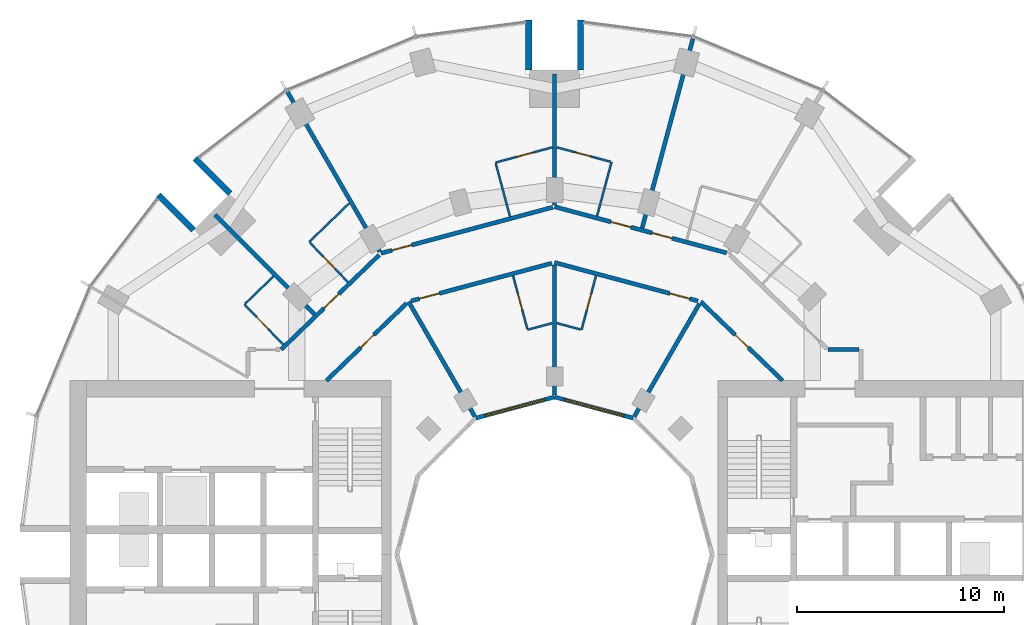
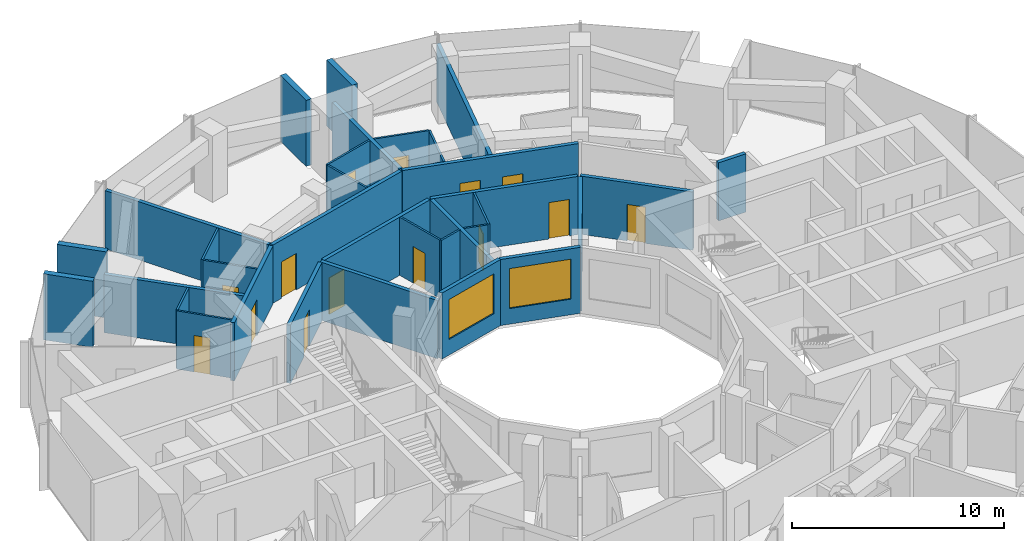
# One storey, part 12 of 15: 33 walls, 14 doors, 2 windows, 16 openings.
"""IFC4 building model written with IfcOpenShell, lengths in metres."""

from ifc_helpers import new_model, si_unit, direction, frame, frame_2d, origin, place, context, subcontext, project, spatial, rectangle, extrude, material, layer, layer_set, type_object, element, fill, save


model = new_model("IFC4")

# Units and contexts
model_context = context("Model", 3, precision=1e-05, world=origin(), true_north=direction((0.0, 1.0)))
body_context = subcontext(model_context, "Body", "Model", "MODEL_VIEW")
ifc_project = project(units=[si_unit("LENGTHUNIT", "METRE"), si_unit("AREAUNIT", "SQUARE_METRE"), si_unit("VOLUMEUNIT", "CUBIC_METRE"), si_unit("PLANEANGLEUNIT", "RADIAN"), si_unit("MASSUNIT", "GRAM", prefix="KILO")], contexts=[model_context])

# Site, building, storey
site_placement = place(None, origin())
site = spatial("IfcSite", under=ifc_project, at=site_placement, CompositionType="ELEMENT")
building_placement = place(site_placement, origin())
building = spatial("IfcBuilding", under=site, at=building_placement, Name="Torre Brocal", CompositionType="ELEMENT")
storey_placement = place(building_placement, frame((0.0, 0.0, 55.39990234375)))
storey = spatial("IfcBuildingStorey", under=building, at=storey_placement, Name="L12", CompositionType="ELEMENT", Elevation=55.39990234375)

# Walls
ifc_material_1 = material(Name="Concrete C80", Category="concrete")
ifc_layer_1 = layer(ifc_material_1, 0.300048828125)
ifc_layer_set_1 = layer_set([ifc_layer_1], Name="Concrete C80")
wall_type_1 = type_object("IfcWallType", Name="NOTCH RETURN WALL 300 C80", PredefinedType="NOTDEFINED", material=ifc_layer_set_1)
for number, where, z_axis, x_axis, name in (
    (1, (81.25, 98.39990234375, 0.0), (0.0, 0.0, 1.0), (0.0, 1.0, 0.0), "NOTCH RETURN WALL"),
    (2, (78.75, 98.39990234375, 0.0), (0.0, 0.0, 1.0), (0.0, 1.0, 0.0), "NOTCH RETURN WALL"),
    (3, (64.337646484375, 92.43017578125, 0.0), (0.0, 0.0, 1.0), (-0.707106781187, 0.707106781187, 0.0), "NOTCH RETURN WALL"),
    (4, (62.56982421875, 90.662353515625, 0.0), (0.0, 0.0, 1.0), (-0.707106781187, 0.707106781187, 0.0), "NOTCH RETURN WALL"),
):
    element("IfcWall", number, at=place(storey_placement, frame(where, z_axis=z_axis, x_axis=x_axis)), inside=storey, type_object=wall_type_1, Name=name, PredefinedType="NOTDEFINED", context=body_context, shape_type="SweptSolid", body=[
        extrude(rectangle(XDim=2.415771484375, YDim=0.300048828125, at=frame_2d((1.2080078125, 0.0))), origin(), (0.0, 0.0, 1.0), 3.800048828125),
    ])
ifc_material_2 = material(Name="Gypsum board", Category="Gypsum")
ifc_layer_2 = layer(ifc_material_2, 0.10009765625)
ifc_layer_set_2 = layer_set([ifc_layer_2], Name="Gypsum board")
wall_type_2 = type_object("IfcWallType", Name="PARTITION 100", PredefinedType="PARTITIONING", material=ifc_layer_set_2)
wall_1_placement = place(storey_placement, frame((65.058837890625, 87.11376953125, 0.0), z_axis=(0.0, 0.0, 1.0), x_axis=(0.719715847356, 0.694268751324, 0.0)))
element("IfcWall", 5, at=wall_1_placement, inside=storey, type_object=wall_type_2, Name="BATHROOM WALL", PredefinedType="PARTITIONING", context=body_context, shape_type="SweptSolid", body=[
    extrude(rectangle(XDim=1.899658203125, YDim=0.10009765625, at=frame_2d((0.94970703125, 0.0))), origin(), (0.0, 0.0, 1.0), 3.35009765625),
])

# Wall, opening, door
wall_2_placement = place(storey_placement, frame((65.02294921875, 87.0791015625, 0.0), z_axis=(0.0, 0.0, 1.0), x_axis=(0.694287838235, -0.719697434815, 0.0)))
wall_2 = element("IfcWall", 6, at=wall_2_placement, inside=storey, type_object=wall_type_2, Name="BATHROOM WALL", PredefinedType="PARTITIONING", context=body_context, shape_type="SweptSolid", body=[
    extrude(rectangle(XDim=2.699951171875, YDim=0.10009765625, at=frame_2d((1.35009765625, 0.0))), origin(), (0.0, 0.0, 1.0), 3.35009765625),
])
opening_1_placement = place(wall_2_placement, frame((0.849853515625, 0.0, 0.0)))
opening_1 = element("IfcOpeningElement", 7, at=opening_1_placement, cuts=wall_2, Name="Opening H03-D12", PredefinedType="OPENING", context=body_context, shape_type="SweptSolid", body=[
    extrude(rectangle(XDim=0.800048828125, YDim=2.10009765625, at=frame_2d((0.39990234375, 1.050048828125))), frame((0.0, 0.06005859375, 0.0), z_axis=(0.0, -1.0, 0.0), x_axis=(1.0, 0.0, 0.0)), (0.0, 0.0, 1.0), 0.1201171875),
])
ifc_material_3 = material(Name="Timber", Category="wood")
door_type_1 = type_object("IfcDoorType", Name="BATHROOM DOOR 800X2100", OperationType="SINGLE_SWING_LEFT", PredefinedType="DOOR", material=ifc_material_3)
door_1_placement = place(opening_1_placement, origin())
door_1 = element("IfcDoor", 8, at=door_1_placement, inside=storey, type_object=door_type_1, Name="H03-D12", OperationType="SINGLE_SWING_LEFT", OverallHeight=2.10009765625, OverallWidth=0.800048828125, PredefinedType="DOOR", context=body_context, shape_type="SweptSolid", body=[
    extrude(rectangle(XDim=0.800048828125, YDim=2.10009765625, at=frame_2d((0.39990234375, 1.050048828125))), frame((0.0, 0.02490234375, 0.0), z_axis=(0.0, -1.0, 0.0), x_axis=(1.0, 0.0, 0.0)), (0.0, 0.0, 1.0), 0.050048828125),
])
fill(opening_1, door_1)

wall_3_placement = place(storey_placement, frame((68.184814453125, 90.06005859375, 0.0), z_axis=(0.0, 0.0, 1.0), x_axis=(0.69446127412, -0.719530081892, 0.0)))
wall_3 = element("IfcWall", 9, at=wall_3_placement, inside=storey, type_object=wall_type_2, Name="BATHROOM WALL", PredefinedType="PARTITIONING", context=body_context, shape_type="SweptSolid", body=[
    extrude(rectangle(XDim=2.64892578125, YDim=0.10009765625, at=frame_2d((1.324462890625, 0.0))), origin(), (0.0, 0.0, 1.0), 3.35009765625),
])
opening_2_placement = place(wall_3_placement, frame((0.94970703125, 0.0, 0.0)))
opening_2 = element("IfcOpeningElement", 10, at=opening_2_placement, cuts=wall_3, Name="Opening H03-D10", PredefinedType="OPENING", context=body_context, shape_type="SweptSolid", body=[
    extrude(rectangle(XDim=0.800048828125, YDim=2.10009765625, at=frame_2d((0.39990234375, 1.050048828125))), frame((0.0, 0.06005859375, 0.0), z_axis=(0.0, -1.0, 0.0), x_axis=(1.0, 0.0, 0.0)), (0.0, 0.0, 1.0), 0.1201171875),
])
door_2_placement = place(opening_2_placement, origin())
door_2 = element("IfcDoor", 11, at=door_2_placement, inside=storey, type_object=door_type_1, Name="H03-D10", OperationType="SINGLE_SWING_RIGHT", OverallHeight=2.10009765625, OverallWidth=0.800048828125, PredefinedType="DOOR", context=body_context, shape_type="SweptSolid", body=[
    extrude(rectangle(XDim=0.800048828125, YDim=2.10009765625, at=frame_2d((0.39990234375, 1.050048828125))), frame((0.0, 0.02490234375, 0.0), z_axis=(0.0, -1.0, 0.0), x_axis=(1.0, 0.0, 0.0)), (0.0, 0.0, 1.0), 0.050048828125),
])
fill(opening_2, door_2)

# Walls
wall_4_placement = place(storey_placement, frame((68.150146484375, 90.095947265625, 0.0), z_axis=(0.0, 0.0, 1.0), x_axis=(0.719667544954, 0.694318820672, 0.0)))
element("IfcWall", 12, at=wall_4_placement, inside=storey, type_object=wall_type_2, Name="BATHROOM WALL", PredefinedType="PARTITIONING", context=body_context, shape_type="SweptSolid", body=[
    extrude(rectangle(XDim=2.68701171875, YDim=0.10009765625, at=frame_2d((1.343505859375, 0.0))), origin(), (0.0, 0.0, 1.0), 3.35009765625),
])
wall_5_placement = place(storey_placement, frame((77.161865234375, 93.8828125, 0.0), z_axis=(0.0, 0.0, 1.0), x_axis=(0.258998589493, -0.965877699629, 0.0)))
element("IfcWall", 13, at=wall_5_placement, inside=storey, type_object=wall_type_2, Name="BATHROOM WALL", PredefinedType="PARTITIONING", context=body_context, shape_type="SweptSolid", body=[
    extrude(rectangle(XDim=2.649658203125, YDim=0.10009765625, at=frame_2d((1.32470703125, 0.0))), origin(), (0.0, 0.0, 1.0), 3.35009765625),
])

# Wall, opening, door
wall_6_placement = place(storey_placement, frame((77.14892578125, 93.930908203125, 0.0), z_axis=(0.0, 0.0, 1.0), x_axis=(0.965916219953, 0.258854893776, 0.0)))
wall_6 = element("IfcWall", 14, at=wall_6_placement, inside=storey, type_object=wall_type_2, Name="BATHROOM WALL", PredefinedType="PARTITIONING", context=body_context, shape_type="SweptSolid", body=[
    extrude(rectangle(XDim=2.841796875, YDim=0.10009765625, at=frame_2d((1.4208984375, 0.0))), origin(), (0.0, 0.0, 1.0), 3.35009765625),
])
opening_3_placement = place(wall_6_placement, frame((1.07568359375, 0.0, 0.0)))
opening_3 = element("IfcOpeningElement", 15, at=opening_3_placement, cuts=wall_6, Name="Opening H03-D08", PredefinedType="OPENING", context=body_context, shape_type="SweptSolid", body=[
    extrude(rectangle(XDim=0.800048828125, YDim=2.10009765625, at=frame_2d((0.39990234375, 1.050048828125))), frame((0.0, 0.06005859375, 0.0), z_axis=(0.0, -1.0, 0.0), x_axis=(1.0, 0.0, 0.0)), (0.0, 0.0, 1.0), 0.1201171875),
])
door_3_placement = place(opening_3_placement, frame((0.800048828125, 0.0, 0.0), z_axis=(0.0, 0.0, 1.0), x_axis=(-1.0, 0.0, 0.0)))
door_3 = element("IfcDoor", 16, at=door_3_placement, inside=storey, type_object=door_type_1, Name="H03-D08", OperationType="SINGLE_SWING_LEFT", OverallHeight=2.10009765625, OverallWidth=0.800048828125, PredefinedType="DOOR", context=body_context, shape_type="SweptSolid", body=[
    extrude(rectangle(XDim=0.800048828125, YDim=2.10009765625, at=frame_2d((0.39990234375, 1.050048828125))), frame((0.0, 0.02490234375, 0.0), z_axis=(0.0, -1.0, 0.0), x_axis=(1.0, 0.0, 0.0)), (0.0, 0.0, 1.0), 0.050048828125),
])
fill(opening_3, door_3)

wall_7_placement = place(storey_placement, frame((77.997802734375, 88.46337890625, 0.0), z_axis=(0.0, 0.0, 1.0), x_axis=(0.258677737588, -0.965963678446, 0.0)))
wall_7 = element("IfcWall", 17, at=wall_7_placement, inside=storey, type_object=wall_type_2, Name="BATHROOM WALL", PredefinedType="PARTITIONING", context=body_context, shape_type="SweptSolid", body=[
    extrude(rectangle(XDim=2.649169921875, YDim=0.10009765625, at=frame_2d((1.32470703125, 0.0))), origin(), (0.0, 0.0, 1.0), 3.35009765625),
])
opening_4_placement = place(wall_7_placement, frame((0.899658203125, 0.0, 0.0)))
opening_4 = element("IfcOpeningElement", 18, at=opening_4_placement, cuts=wall_7, Name="Opening H03-D18", PredefinedType="OPENING", context=body_context, shape_type="SweptSolid", body=[
    extrude(rectangle(XDim=0.800048828125, YDim=2.10009765625, at=frame_2d((0.39990234375, 1.050048828125))), frame((0.0, 0.06005859375, 0.0), z_axis=(0.0, -1.0, 0.0), x_axis=(1.0, 0.0, 0.0)), (0.0, 0.0, 1.0), 0.1201171875),
])
door_4_placement = place(opening_4_placement, origin())
door_4 = element("IfcDoor", 19, at=door_4_placement, inside=storey, type_object=door_type_1, Name="H03-D18", OperationType="SINGLE_SWING_LEFT", OverallHeight=2.10009765625, OverallWidth=0.800048828125, PredefinedType="DOOR", context=body_context, shape_type="SweptSolid", body=[
    extrude(rectangle(XDim=0.800048828125, YDim=2.10009765625, at=frame_2d((0.39990234375, 1.050048828125))), frame((0.0, 0.02490234375, 0.0), z_axis=(0.0, -1.0, 0.0), x_axis=(1.0, 0.0, 0.0)), (0.0, 0.0, 1.0), 0.050048828125),
])
fill(opening_4, door_4)

# Walls
wall_8_placement = place(storey_placement, frame((78.696044921875, 85.85595703125, 0.0), z_axis=(0.0, 0.0, 1.0), x_axis=(0.966002513606, 0.258532674351, 0.0)))
element("IfcWall", 20, at=wall_8_placement, inside=storey, type_object=wall_type_2, Name="BATHROOM WALL", PredefinedType="PARTITIONING", context=body_context, shape_type="SweptSolid", body=[
    extrude(rectangle(XDim=1.239990234375, YDim=0.10009765625, at=frame_2d((0.6201171875, 0.0))), origin(), (0.0, 0.0, 1.0), 3.35009765625),
])
wall_9_placement = place(storey_placement, frame((80.106201171875, 86.176513671875, 0.0), z_axis=(0.0, 0.0, 1.0), x_axis=(0.966002973184, -0.258530957139, 0.0)))
element("IfcWall", 21, at=wall_9_placement, inside=storey, type_object=wall_type_2, Name="BATHROOM WALL", PredefinedType="PARTITIONING", context=body_context, shape_type="SweptSolid", body=[
    extrude(rectangle(XDim=1.18994140625, YDim=0.10009765625, at=frame_2d((0.594970703125, 0.0))), origin(), (0.0, 0.0, 1.0), 3.35009765625),
])

# Wall, opening, door
wall_10_placement = place(storey_placement, frame((80.106201171875, 94.666748046875, 0.0), z_axis=(0.0, 0.0, 1.0), x_axis=(0.965904298007, -0.258899376382, 0.0)))
wall_10 = element("IfcWall", 22, at=wall_10_placement, inside=storey, type_object=wall_type_2, Name="BATHROOM WALL", PredefinedType="PARTITIONING", context=body_context, shape_type="SweptSolid", body=[
    extrude(rectangle(XDim=2.6904296875, YDim=0.10009765625, at=frame_2d((1.34521484375, 0.0))), origin(), (0.0, 0.0, 1.0), 3.35009765625),
])
opening_5_placement = place(wall_10_placement, frame((0.9150390625, 0.0, 0.0)))
opening_5 = element("IfcOpeningElement", 23, at=opening_5_placement, cuts=wall_10, Name="Opening H03-D06", PredefinedType="OPENING", context=body_context, shape_type="SweptSolid", body=[
    extrude(rectangle(XDim=0.800048828125, YDim=2.10009765625, at=frame_2d((0.39990234375, 1.050048828125))), frame((0.0, 0.06005859375, 0.0), z_axis=(0.0, -1.0, 0.0), x_axis=(1.0, 0.0, 0.0)), (0.0, 0.0, 1.0), 0.1201171875),
])
door_5_placement = place(opening_5_placement, frame((0.800048828125, 0.0, 0.0), z_axis=(0.0, 0.0, 1.0), x_axis=(-1.0, 0.0, 0.0)))
door_5 = element("IfcDoor", 24, at=door_5_placement, inside=storey, type_object=door_type_1, Name="H03-D06", OperationType="SINGLE_SWING_RIGHT", OverallHeight=2.10009765625, OverallWidth=0.800048828125, PredefinedType="DOOR", context=body_context, shape_type="SweptSolid", body=[
    extrude(rectangle(XDim=0.800048828125, YDim=2.10009765625, at=frame_2d((0.39990234375, 1.050048828125))), frame((0.0, 0.02490234375, 0.0), z_axis=(0.0, -1.0, 0.0), x_axis=(1.0, 0.0, 0.0)), (0.0, 0.0, 1.0), 0.050048828125),
])
fill(opening_5, door_5)

wall_11_placement = place(storey_placement, frame((81.303955078125, 85.85595703125, 0.0), z_axis=(0.0, 0.0, 1.0), x_axis=(0.25867580527, 0.965964195904, 0.0)))
wall_11 = element("IfcWall", 25, at=wall_11_placement, inside=storey, type_object=wall_type_2, Name="BATHROOM WALL", PredefinedType="PARTITIONING", context=body_context, shape_type="SweptSolid", body=[
    extrude(rectangle(XDim=2.69921875, YDim=0.10009765625, at=frame_2d((1.349609375, 0.0))), origin(), (0.0, 0.0, 1.0), 3.35009765625),
])
opening_6_placement = place(wall_11_placement, frame((0.99951171875, 0.0, 0.0)))
opening_6 = element("IfcOpeningElement", 26, at=opening_6_placement, cuts=wall_11, Name="Opening H03-D16", PredefinedType="OPENING", context=body_context, shape_type="SweptSolid", body=[
    extrude(rectangle(XDim=0.800048828125, YDim=2.10009765625, at=frame_2d((0.39990234375, 1.050048828125))), frame((0.0, 0.06005859375, 0.0), z_axis=(0.0, -1.0, 0.0), x_axis=(1.0, 0.0, 0.0)), (0.0, 0.0, 1.0), 0.1201171875),
])
door_6_placement = place(opening_6_placement, origin())
door_6 = element("IfcDoor", 27, at=door_6_placement, inside=storey, type_object=door_type_1, Name="H03-D16", OperationType="SINGLE_SWING_RIGHT", OverallHeight=2.10009765625, OverallWidth=0.800048828125, PredefinedType="DOOR", context=body_context, shape_type="SweptSolid", body=[
    extrude(rectangle(XDim=0.800048828125, YDim=2.10009765625, at=frame_2d((0.39990234375, 1.050048828125))), frame((0.0, 0.02490234375, 0.0), z_axis=(0.0, -1.0, 0.0), x_axis=(1.0, 0.0, 0.0)), (0.0, 0.0, 1.0), 0.050048828125),
])
fill(opening_6, door_6)

# Walls
wall_12_placement = place(storey_placement, frame((82.053955078125, 91.349609375, 0.0), z_axis=(0.0, 0.0, 1.0), x_axis=(0.258928960762, 0.965896367774, 0.0)))
element("IfcWall", 28, at=wall_12_placement, inside=storey, type_object=wall_type_2, Name="BATHROOM WALL", PredefinedType="PARTITIONING", context=body_context, shape_type="SweptSolid", body=[
    extrude(rectangle(XDim=2.699462890625, YDim=0.10009765625, at=frame_2d((1.349609375, 0.0))), origin(), (0.0, 0.0, 1.0), 3.35009765625),
])
ifc_material_4 = material(Name="Gypsum board", Category="Gypsum")
ifc_layer_3 = layer(ifc_material_4, 0.199951171875)
ifc_layer_set_3 = layer_set([ifc_layer_3], Name="Gypsum board")
wall_type_3 = type_object("IfcWallType", Name="PARTITION 200 EI60", PredefinedType="PARTITIONING", material=ifc_layer_set_3)
wall_13_placement = place(storey_placement, frame((63.598388671875, 91.408203125, 0.0), z_axis=(0.0, 0.0, 1.0), x_axis=(0.706999146394, -0.707214399597, 0.0)))
element("IfcWall", 29, at=wall_13_placement, inside=storey, type_object=wall_type_3, Name="BATHROOM WALL", PredefinedType="PARTITIONING", context=body_context, shape_type="SweptSolid", body=[
    extrude(rectangle(XDim=6.80517578125, YDim=0.199951171875, at=frame_2d((3.402587890625, 0.0))), origin(), (0.0, 0.0, 1.0), 3.35009765625),
])

# Wall, opening, door
wall_14_placement = place(storey_placement, frame((66.796630859375, 84.900390625, 0.0), z_axis=(0.0, 0.0, 1.0), x_axis=(0.719692092412, 0.694293376116, 0.0)))
wall_14 = element("IfcWall", 30, at=wall_14_placement, inside=storey, type_object=wall_type_3, Name="GUESTROOM CORRIDOR WALL", PredefinedType="PARTITIONING", context=body_context, shape_type="SweptSolid", body=[
    extrude(rectangle(XDim=6.58447265625, YDim=0.199951171875, at=frame_2d((3.292236328125, 0.0))), origin(), (0.0, 0.0, 1.0), 3.35009765625),
])
opening_7_placement = place(wall_14_placement, frame((2.8662109375, 0.0, 0.0)))
opening_7 = element("IfcOpeningElement", 31, at=opening_7_placement, cuts=wall_14, Name="Opening H03-D09", PredefinedType="OPENING", context=body_context, shape_type="SweptSolid", body=[
    extrude(rectangle(XDim=1.0, YDim=2.10009765625, at=frame_2d((0.5, 1.050048828125))), frame((0.0, 0.10986328125, 0.0), z_axis=(0.0, -1.0, 0.0), x_axis=(1.0, 0.0, 0.0)), (0.0, 0.0, 1.0), 0.219970703125),
])
ifc_material_5 = material(Name="Timber", Category="wood")
door_type_2 = type_object("IfcDoorType", Name="FLAT ENTRY DOOR FD30S 1000X2100", OperationType="SINGLE_SWING_RIGHT", PredefinedType="DOOR", material=ifc_material_5)
door_7_placement = place(opening_7_placement, origin())
door_7 = element("IfcDoor", 32, at=door_7_placement, inside=storey, type_object=door_type_2, Name="H03-D09", OperationType="SINGLE_SWING_LEFT", OverallHeight=2.10009765625, OverallWidth=1.0, PredefinedType="DOOR", context=body_context, shape_type="SweptSolid", body=[
    extrude(rectangle(XDim=1.0, YDim=2.10009765625, at=frame_2d((0.5, 1.050048828125))), frame((0.0, 0.02490234375, 0.0), z_axis=(0.0, -1.0, 0.0), x_axis=(1.0, 0.0, 0.0)), (0.0, 0.0, 1.0), 0.050048828125),
])
fill(opening_7, door_7)

# Wall
wall_15_placement = place(storey_placement, frame((67.102783203125, 97.34228515625, 0.0), z_axis=(0.0, 0.0, 1.0), x_axis=(0.499906738326, -0.866079241742, 0.0)))
element("IfcWall", 33, at=wall_15_placement, inside=storey, type_object=wall_type_3, Name="BATHROOM WALL", PredefinedType="PARTITIONING", context=body_context, shape_type="SweptSolid", body=[
    extrude(rectangle(XDim=8.906982421875, YDim=0.199951171875, at=frame_2d((4.45361328125, 0.0))), origin(), (0.0, 0.0, 1.0), 3.35009765625),
])

# Wall, opening, door
wall_16_placement = place(storey_placement, frame((68.987060546875, 83.39990234375, 0.0), z_axis=(0.0, 0.0, 1.0), x_axis=(0.719547721855, 0.694442996922, 0.0)))
wall_16 = element("IfcWall", 34, at=wall_16_placement, inside=storey, type_object=wall_type_3, Name="CORRIDOR WALL", PredefinedType="PARTITIONING", context=body_context, shape_type="SweptSolid", body=[
    extrude(rectangle(XDim=5.3779296875, YDim=0.199951171875, at=frame_2d((2.68896484375, 0.0))), origin(), (0.0, 0.0, 1.0), 3.35009765625),
])
opening_8_placement = place(wall_16_placement, frame((2.2939453125, 0.0, 0.0)))
opening_8 = element("IfcOpeningElement", 35, at=opening_8_placement, cuts=wall_16, Name="Opening H03-D19", PredefinedType="OPENING", context=body_context, shape_type="SweptSolid", body=[
    extrude(rectangle(XDim=0.89990234375, YDim=2.10009765625, at=frame_2d((0.449951171875, 1.050048828125))), frame((0.0, 0.10986328125, 0.0), z_axis=(0.0, -1.0, 0.0), x_axis=(1.0, 0.0, 0.0)), (0.0, 0.0, 1.0), 0.219970703125),
])
ifc_material_6 = material(Name="Timber", Category="wood")
door_type_3 = type_object("IfcDoorType", Name="ROOM DOOR 900X2100", OperationType="SINGLE_SWING_LEFT", PredefinedType="DOOR", material=ifc_material_6)
door_8_placement = place(opening_8_placement, frame((0.89990234375, 0.0, 0.0), z_axis=(0.0, 0.0, 1.0), x_axis=(-1.0, 0.0, 0.0)))
door_8 = element("IfcDoor", 36, at=door_8_placement, inside=storey, type_object=door_type_3, Name="H03-D19", OperationType="SINGLE_SWING_RIGHT", OverallHeight=2.10009765625, OverallWidth=0.89990234375, PredefinedType="DOOR", context=body_context, shape_type="SweptSolid", body=[
    extrude(rectangle(XDim=0.89990234375, YDim=2.10009765625, at=frame_2d((0.449951171875, 1.050048828125))), frame((0.0, 0.02490234375, 0.0), z_axis=(0.0, -1.0, 0.0), x_axis=(1.0, 0.0, 0.0)), (0.0, 0.0, 1.0), 0.050048828125),
])
fill(opening_8, door_8)

wall_17_placement = place(storey_placement, frame((71.61376953125, 89.549560546875, 0.0), z_axis=(0.0, 0.0, 1.0), x_axis=(0.965967958589, 0.258661753994, 0.0)))
wall_17 = element("IfcWall", 37, at=wall_17_placement, inside=storey, type_object=wall_type_3, Name="GUESTROOM CORRIDOR WALL", PredefinedType="PARTITIONING", context=body_context, shape_type="SweptSolid", body=[
    extrude(rectangle(XDim=8.592041015625, YDim=0.199951171875, at=frame_2d((4.2958984375, 0.0))), origin(), (0.0, 0.0, 1.0), 3.35009765625),
])
opening_9_placement = place(wall_17_placement, frame((0.550048828125, 0.0, 0.0)))
opening_9 = element("IfcOpeningElement", 38, at=opening_9_placement, cuts=wall_17, Name="Opening H03-D07", PredefinedType="OPENING", context=body_context, shape_type="SweptSolid", body=[
    extrude(rectangle(XDim=1.0, YDim=2.10009765625, at=frame_2d((0.5, 1.050048828125))), frame((0.0, 0.10986328125, 0.0), z_axis=(0.0, -1.0, 0.0), x_axis=(1.0, 0.0, 0.0)), (0.0, 0.0, 1.0), 0.219970703125),
])
door_9_placement = place(opening_9_placement, origin())
door_9 = element("IfcDoor", 39, at=door_9_placement, inside=storey, type_object=door_type_2, Name="H03-D07", OperationType="SINGLE_SWING_LEFT", OverallHeight=2.10009765625, OverallWidth=1.0, PredefinedType="DOOR", context=body_context, shape_type="SweptSolid", body=[
    extrude(rectangle(XDim=1.0, YDim=2.10009765625, at=frame_2d((0.5, 1.050048828125))), frame((0.0, 0.02490234375, 0.0), z_axis=(0.0, -1.0, 0.0), x_axis=(1.0, 0.0, 0.0)), (0.0, 0.0, 1.0), 0.050048828125),
])
fill(opening_9, door_9)

wall_18_placement = place(storey_placement, frame((73.0712890625, 87.2470703125, 0.0), z_axis=(0.0, 0.0, 1.0), x_axis=(0.965931651205, 0.258797305243, 0.0)))
wall_18 = element("IfcWall", 40, at=wall_18_placement, inside=storey, type_object=wall_type_3, Name="GUESTROOM CORRIDOR WALL", PredefinedType="PARTITIONING", context=body_context, shape_type="SweptSolid", body=[
    extrude(rectangle(XDim=7.043212890625, YDim=0.199951171875, at=frame_2d((3.521484375, 0.0))), origin(), (0.0, 0.0, 1.0), 3.35009765625),
])
opening_10_placement = place(wall_18_placement, frame((0.409912109375, 0.0, 0.0)))
opening_10 = element("IfcOpeningElement", 41, at=opening_10_placement, cuts=wall_18, Name="Opening H03-D17", PredefinedType="OPENING", context=body_context, shape_type="SweptSolid", body=[
    extrude(rectangle(XDim=1.0, YDim=2.10009765625, at=frame_2d((0.5, 1.050048828125))), frame((0.0, 0.10986328125, 0.0), z_axis=(0.0, -1.0, 0.0), x_axis=(1.0, 0.0, 0.0)), (0.0, 0.0, 1.0), 0.219970703125),
])
door_10_placement = place(opening_10_placement, frame((1.0, 0.0, 0.0), z_axis=(0.0, 0.0, 1.0), x_axis=(-1.0, 0.0, 0.0)))
door_10 = element("IfcDoor", 42, at=door_10_placement, inside=storey, type_object=door_type_2, Name="H03-D17", OperationType="SINGLE_SWING_RIGHT", OverallHeight=2.10009765625, OverallWidth=1.0, PredefinedType="DOOR", context=body_context, shape_type="SweptSolid", body=[
    extrude(rectangle(XDim=1.0, YDim=2.10009765625, at=frame_2d((0.5, 1.050048828125))), frame((0.0, 0.02490234375, 0.0), z_axis=(0.0, -1.0, 0.0), x_axis=(1.0, 0.0, 0.0)), (0.0, 0.0, 1.0), 0.050048828125),
])
fill(opening_10, door_10)

# Walls
wall_19_placement = place(storey_placement, frame((72.94873046875, 87.21435546875, 0.0), z_axis=(0.0, 0.0, 1.0), x_axis=(0.499927021214, -0.866067534006, 0.0)))
element("IfcWall", 43, at=wall_19_placement, inside=storey, type_object=wall_type_3, Name="SERVICE ROOM WALL", PredefinedType="PARTITIONING", context=body_context, shape_type="SweptSolid", body=[
    extrude(rectangle(XDim=6.4052734375, YDim=0.199951171875, at=frame_2d((3.20263671875, 0.0))), origin(), (0.0, 0.0, 1.0), 3.35009765625),
])
wall_20_placement = place(storey_placement, frame((80.0, 82.698974609375, 0.0), z_axis=(0.0, 0.0, 1.0), x_axis=(0.0, 1.0, 0.0)))
element("IfcWall", 44, at=wall_20_placement, inside=storey, type_object=wall_type_3, Name="BATHROOM WALL", PredefinedType="PARTITIONING", context=body_context, shape_type="SweptSolid", body=[
    extrude(rectangle(XDim=6.275146484375, YDim=0.199951171875, at=frame_2d((3.1376953125, 0.0))), origin(), (0.0, 0.0, 1.0), 3.35009765625),
])

# Wall, opening, door
wall_21_placement = place(storey_placement, frame((80.0, 89.10400390625, 0.0), z_axis=(0.0, 0.0, 1.0), x_axis=(0.965856548257, -0.259077455964, 0.0)))
wall_21 = element("IfcWall", 45, at=wall_21_placement, inside=storey, type_object=wall_type_3, Name="GUESTROOM CORRIDOR WALL", PredefinedType="PARTITIONING", context=body_context, shape_type="SweptSolid", body=[
    extrude(rectangle(XDim=7.173095703125, YDim=0.199951171875, at=frame_2d((3.58642578125, 0.0))), origin(), (0.0, 0.0, 1.0), 3.35009765625),
])
opening_11_placement = place(wall_21_placement, frame((5.76318359375, 0.0, 0.0)))
opening_11 = element("IfcOpeningElement", 46, at=opening_11_placement, cuts=wall_21, Name="Opening H03-D15", PredefinedType="OPENING", context=body_context, shape_type="SweptSolid", body=[
    extrude(rectangle(XDim=1.0, YDim=2.10009765625, at=frame_2d((0.5, 1.050048828125))), frame((0.0, 0.10986328125, 0.0), z_axis=(0.0, -1.0, 0.0), x_axis=(1.0, 0.0, 0.0)), (0.0, 0.0, 1.0), 0.219970703125),
])
door_11_placement = place(opening_11_placement, frame((1.0, 0.0, 0.0), z_axis=(0.0, 0.0, 1.0), x_axis=(-1.0, 0.0, 0.0)))
door_11 = element("IfcDoor", 47, at=door_11_placement, inside=storey, type_object=door_type_2, Name="H03-D15", OperationType="SINGLE_SWING_LEFT", OverallHeight=2.10009765625, OverallWidth=1.0, PredefinedType="DOOR", context=body_context, shape_type="SweptSolid", body=[
    extrude(rectangle(XDim=1.0, YDim=2.10009765625, at=frame_2d((0.5, 1.050048828125))), frame((0.0, 0.02490234375, 0.0), z_axis=(0.0, -1.0, 0.0), x_axis=(1.0, 0.0, 0.0)), (0.0, 0.0, 1.0), 0.050048828125),
])
fill(opening_11, door_11)

# Wall
wall_22_placement = place(storey_placement, frame((80.0, 91.886962890625, 0.0), z_axis=(0.0, 0.0, 1.0), x_axis=(0.0, 1.0, 0.0)))
element("IfcWall", 48, at=wall_22_placement, inside=storey, type_object=wall_type_3, Name="BATHROOM WALL", PredefinedType="PARTITIONING", context=body_context, shape_type="SweptSolid", body=[
    extrude(rectangle(XDim=6.31201171875, YDim=0.199951171875, at=frame_2d((3.156005859375, 0.0))), origin(), (0.0, 0.0, 1.0), 3.35009765625),
])

# Wall, openings, doors
wall_23_placement = place(storey_placement, frame((80.000244140625, 91.796875, 0.0), z_axis=(0.0, 0.0, 1.0), x_axis=(0.965857042792, -0.259075612301, 0.0)))
wall_23 = element("IfcWall", 49, at=wall_23_placement, inside=storey, type_object=wall_type_3, Name="GUESTROOM CORRIDOR WALL", PredefinedType="PARTITIONING", context=body_context, shape_type="SweptSolid", body=[
    extrude(rectangle(XDim=8.601806640625, YDim=0.199951171875, at=frame_2d((4.30078125, 0.0))), origin(), (0.0, 0.0, 1.0), 3.35009765625),
])
opening_12_placement = place(wall_23_placement, frame((4.87744140625, 0.0, 0.0)))
opening_12 = element("IfcOpeningElement", 50, at=opening_12_placement, cuts=wall_23, Name="Opening H03-D03", PredefinedType="OPENING", context=body_context, shape_type="SweptSolid", body=[
    extrude(rectangle(XDim=1.0, YDim=2.10009765625, at=frame_2d((0.5, 1.050048828125))), frame((0.0, 0.10986328125, 0.0), z_axis=(0.0, -1.0, 0.0), x_axis=(1.0, 0.0, 0.0)), (0.0, 0.0, 1.0), 0.219970703125),
])
opening_13_placement = place(wall_23_placement, frame((2.816650390625, 0.0, 0.0)))
opening_13 = element("IfcOpeningElement", 51, at=opening_13_placement, cuts=wall_23, Name="Opening H03-D05", PredefinedType="OPENING", context=body_context, shape_type="SweptSolid", body=[
    extrude(rectangle(XDim=1.0, YDim=2.10009765625, at=frame_2d((0.5, 1.050048828125))), frame((0.0, 0.10986328125, 0.0), z_axis=(0.0, -1.0, 0.0), x_axis=(1.0, 0.0, 0.0)), (0.0, 0.0, 1.0), 0.219970703125),
])
door_12_placement = place(opening_12_placement, origin())
door_12 = element("IfcDoor", 52, at=door_12_placement, inside=storey, type_object=door_type_2, Name="H03-D03", OperationType="SINGLE_SWING_LEFT", OverallHeight=2.10009765625, OverallWidth=1.0, PredefinedType="DOOR", context=body_context, shape_type="SweptSolid", body=[
    extrude(rectangle(XDim=1.0, YDim=2.10009765625, at=frame_2d((0.5, 1.050048828125))), frame((0.0, 0.02490234375, 0.0), z_axis=(0.0, -1.0, 0.0), x_axis=(1.0, 0.0, 0.0)), (0.0, 0.0, 1.0), 0.050048828125),
])
fill(opening_12, door_12)
door_13_placement = place(opening_13_placement, origin())
door_13 = element("IfcDoor", 53, at=door_13_placement, inside=storey, type_object=door_type_2, Name="H03-D05", OperationType="SINGLE_SWING_RIGHT", OverallHeight=2.10009765625, OverallWidth=1.0, PredefinedType="DOOR", context=body_context, shape_type="SweptSolid", body=[
    extrude(rectangle(XDim=1.0, YDim=2.10009765625, at=frame_2d((0.5, 1.050048828125))), frame((0.0, 0.02490234375, 0.0), z_axis=(0.0, -1.0, 0.0), x_axis=(1.0, 0.0, 0.0)), (0.0, 0.0, 1.0), 0.050048828125),
])
fill(opening_13, door_13)

# Walls
wall_24_placement = place(storey_placement, frame((83.851318359375, 81.665771484375, 0.0), z_axis=(0.0, 0.0, 1.0), x_axis=(0.500253653624, 0.865878907259, 0.0)))
element("IfcWall", 54, at=wall_24_placement, inside=storey, type_object=wall_type_3, Name="SERVICE ROOM WALL", PredefinedType="PARTITIONING", context=body_context, shape_type="SweptSolid", body=[
    extrude(rectangle(XDim=6.285400390625, YDim=0.199951171875, at=frame_2d((3.142578125, 0.0))), origin(), (0.0, 0.0, 1.0), 3.35009765625),
])
wall_25_placement = place(storey_placement, frame((84.23046875, 90.76611328125, 0.0), z_axis=(0.0, 0.0, 1.0), x_axis=(0.258967920341, 0.965885922992, 0.0)))
element("IfcWall", 55, at=wall_25_placement, inside=storey, type_object=wall_type_3, Name="PARTY PARTITION", PredefinedType="PARTITIONING", context=body_context, shape_type="SweptSolid", body=[
    extrude(rectangle(XDim=9.474609375, YDim=0.199951171875, at=frame_2d((4.7373046875, 0.0))), origin(), (0.0, 0.0, 1.0), 3.35009765625),
])

# Wall, opening, door
wall_26_placement = place(storey_placement, frame((87.06396484375, 87.2109375, 0.0), z_axis=(0.0, 0.0, 1.0), x_axis=(0.719562412484, -0.694427774891, 0.0)))
wall_26 = element("IfcWall", 56, at=wall_26_placement, inside=storey, type_object=wall_type_3, Name="CORRIDOR WALL", PredefinedType="PARTITIONING", context=body_context, shape_type="SweptSolid", body=[
    extrude(rectangle(XDim=5.488037109375, YDim=0.199951171875, at=frame_2d((2.744140625, 0.0))), origin(), (0.0, 0.0, 1.0), 3.35009765625),
])
opening_14_placement = place(wall_26_placement, frame((2.2939453125, 0.0, 0.0)))
opening_14 = element("IfcOpeningElement", 57, at=opening_14_placement, cuts=wall_26, Name="Opening H03-D14", PredefinedType="OPENING", context=body_context, shape_type="SweptSolid", body=[
    extrude(rectangle(XDim=0.89990234375, YDim=2.10009765625, at=frame_2d((0.449951171875, 1.050048828125))), frame((0.0, 0.10986328125, 0.0), z_axis=(0.0, -1.0, 0.0), x_axis=(1.0, 0.0, 0.0)), (0.0, 0.0, 1.0), 0.219970703125),
])
door_14_placement = place(opening_14_placement, frame((0.89990234375, 0.0, 0.0), z_axis=(0.0, 0.0, 1.0), x_axis=(-1.0, 0.0, 0.0)))
door_14 = element("IfcDoor", 58, at=door_14_placement, inside=storey, type_object=door_type_3, Name="H03-D14", OperationType="SINGLE_SWING_LEFT", OverallHeight=2.10009765625, OverallWidth=0.89990234375, PredefinedType="DOOR", context=body_context, shape_type="SweptSolid", body=[
    extrude(rectangle(XDim=0.89990234375, YDim=2.10009765625, at=frame_2d((0.449951171875, 1.050048828125))), frame((0.0, 0.02490234375, 0.0), z_axis=(0.0, -1.0, 0.0), x_axis=(1.0, 0.0, 0.0)), (0.0, 0.0, 1.0), 0.050048828125),
])
fill(opening_14, door_14)

# Wall
wall_27_placement = place(storey_placement, frame((93.2041015625, 84.89990234375, 0.0), z_axis=(0.0, 0.0, 1.0), x_axis=(1.0, 0.0, 0.0)))
element("IfcWall", 59, at=wall_27_placement, inside=storey, type_object=wall_type_3, Name="GUESTROOM CORRIDOR WALL", PredefinedType="PARTITIONING", context=body_context, shape_type="SweptSolid", body=[
    extrude(rectangle(XDim=1.495849609375, YDim=0.199951171875, at=frame_2d((0.748046875, 0.0))), origin(), (0.0, 0.0, 1.0), 3.35009765625),
])

# Wall, opening, window
ifc_material_7 = material(Name="Concrete C40", Category="concrete")
ifc_layer_4 = layer(ifc_material_7, 0.199951171875)
ifc_layer_set_4 = layer_set([ifc_layer_4], Name="Concrete C40")
wall_type_4 = type_object("IfcWallType", Name="WELL FACADE WALL 200", PredefinedType="NOTDEFINED", material=ifc_layer_set_4)
wall_28_placement = place(storey_placement, frame((83.8017578125, 81.5849609375, 0.0), z_axis=(0.0, 0.0, 1.0), x_axis=(-0.965933654434, 0.258789828301, 0.0)))
wall_28 = element("IfcWall", 60, at=wall_28_placement, inside=storey, type_object=wall_type_4, Name="WELL FACADE WALL", PredefinedType="NOTDEFINED", context=body_context, shape_type="SweptSolid", body=[
    extrude(rectangle(XDim=3.935791015625, YDim=0.199951171875, at=frame_2d((1.9677734375, 0.0))), origin(), (0.0, 0.0, 1.0), 3.800048828125),
])
opening_15_placement = place(wall_28_placement, frame((0.468017578125, 0.0, 0.89990234375)))
opening_15 = element("IfcOpeningElement", 61, at=opening_15_placement, cuts=wall_28, Name="Opening W1", PredefinedType="OPENING", context=body_context, shape_type="SweptSolid", body=[
    extrude(rectangle(XDim=3.0, YDim=2.300048828125, at=frame_2d((1.5, 1.14990234375))), frame((0.0, 0.10986328125, 0.0), z_axis=(0.0, -1.0, 0.0), x_axis=(1.0, 0.0, 0.0)), (0.0, 0.0, 1.0), 0.219970703125),
])
ifc_material_8 = material(Name="Aluminium and glass", Category="aluminium")
window_type = type_object("IfcWindowType", Name="WELL WINDOW 3000X2300", PartitioningType="SINGLE_PANEL", PredefinedType="WINDOW", material=ifc_material_8)
window_1_placement = place(opening_15_placement, origin())
window_1 = element("IfcWindow", 62, at=window_1_placement, inside=storey, type_object=window_type, Name="WELL WINDOW 3000X2300", OverallHeight=2.300048828125, OverallWidth=3.0, PartitioningType="SINGLE_PANEL", PredefinedType="WINDOW", context=body_context, shape_type="SweptSolid", body=[
    extrude(rectangle(XDim=3.0, YDim=2.300048828125, at=frame_2d((1.5, 1.14990234375))), frame((0.0, 0.030029296875, 0.0), z_axis=(0.0, -1.0, 0.0), x_axis=(1.0, 0.0, 0.0)), (0.0, 0.0, 1.0), 0.06005859375),
])
fill(opening_15, window_1)

wall_29_placement = place(storey_placement, frame((80.0, 82.603515625, 0.0), z_axis=(0.0, 0.0, 1.0), x_axis=(-0.965933654434, -0.258789828301, 0.0)))
wall_29 = element("IfcWall", 63, at=wall_29_placement, inside=storey, type_object=wall_type_4, Name="WELL FACADE WALL", PredefinedType="NOTDEFINED", context=body_context, shape_type="SweptSolid", body=[
    extrude(rectangle(XDim=3.935791015625, YDim=0.199951171875, at=frame_2d((1.9677734375, 0.0))), origin(), (0.0, 0.0, 1.0), 3.800048828125),
])
opening_16_placement = place(wall_29_placement, frame((0.468017578125, 0.0, 0.89990234375)))
opening_16 = element("IfcOpeningElement", 64, at=opening_16_placement, cuts=wall_29, Name="Opening W1", PredefinedType="OPENING", context=body_context, shape_type="SweptSolid", body=[
    extrude(rectangle(XDim=3.0, YDim=2.300048828125, at=frame_2d((1.5, 1.14990234375))), frame((0.0, 0.10986328125, 0.0), z_axis=(0.0, -1.0, 0.0), x_axis=(1.0, 0.0, 0.0)), (0.0, 0.0, 1.0), 0.219970703125),
])
window_2_placement = place(opening_16_placement, origin())
window_2 = element("IfcWindow", 65, at=window_2_placement, inside=storey, type_object=window_type, Name="WELL WINDOW 3000X2300", OverallHeight=2.300048828125, OverallWidth=3.0, PartitioningType="SINGLE_PANEL", PredefinedType="WINDOW", context=body_context, shape_type="SweptSolid", body=[
    extrude(rectangle(XDim=3.0, YDim=2.300048828125, at=frame_2d((1.5, 1.14990234375))), frame((0.0, 0.030029296875, 0.0), z_axis=(0.0, -1.0, 0.0), x_axis=(1.0, 0.0, 0.0)), (0.0, 0.0, 1.0), 0.06005859375),
])
fill(opening_16, window_2)

save(model, "model.ifc")
